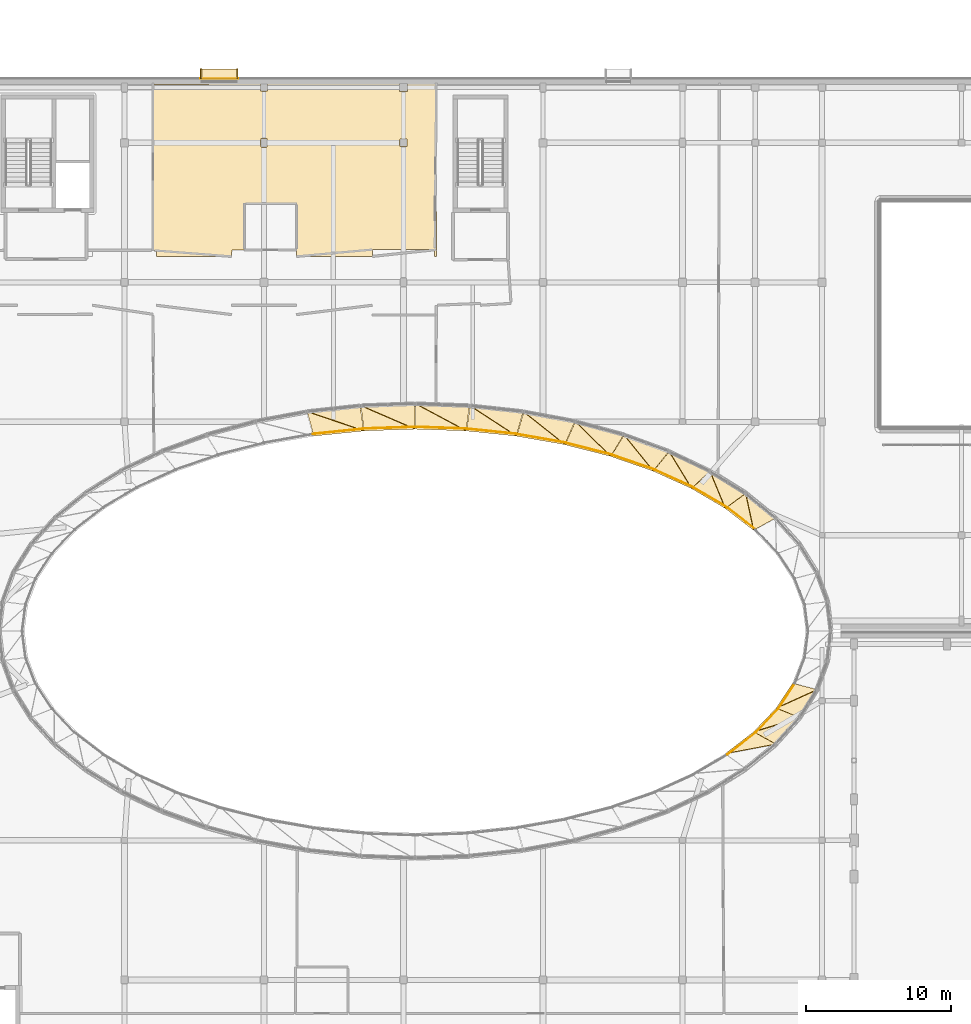
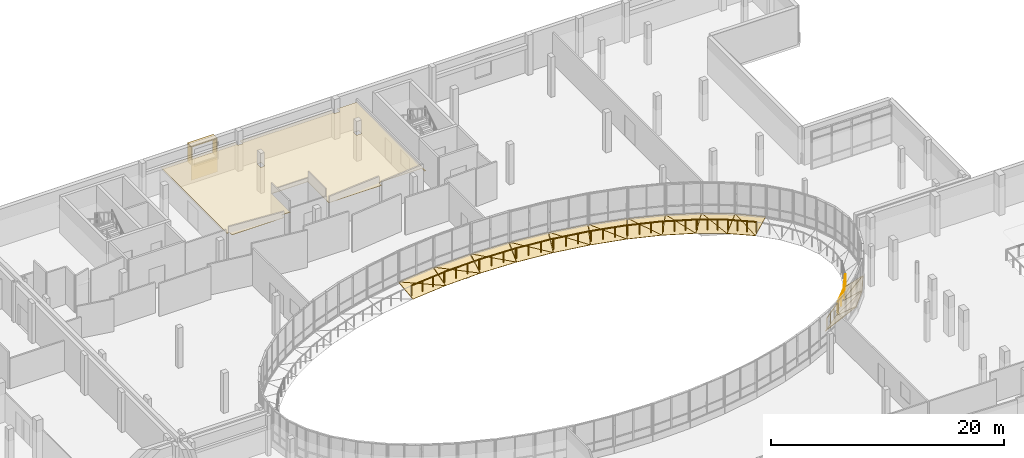
# One storey, part 78 of 84: 31 coverings, 13 railings.
"""IFC4 building model written with IfcOpenShell, lengths in metres."""

import ifcopenshell
import ifcopenshell.guid

model = None  # the IFC model being written
_history = None  # IfcOwnerHistory: only IFC2X3 demands one
_inside = {}  # id of a spatial element -> (the spatial element, [elements in it])
_under = {}  # id of a project, library or spatial element -> (it, [spatial elements below it])
_declared = {}  # id of a project -> (the project, [libraries it declares])
_typed = {}  # id of a type object -> (the type object, [elements of that type])
_made_of = {}  # id of a material, layer set ... -> (it, [elements and type objects made of it])


def new_model(schema):
    """Start an empty IFC model of exactly this schema.

    Asked for "IFC4X3", IfcOpenShell would pick the latest addendum, in which some entities
    have other attributes; the version numbers below select the first issue.
    IFC2X3 requires an IfcOwnerHistory on every rooted entity: one is made here for all.
    """
    global model, _history
    if schema == "IFC4X3":
        model = ifcopenshell.file(schema_version=(4, 3, 0, 0))
    else:
        model = ifcopenshell.file(schema=schema)
    _inside.clear()
    _under.clear()
    _declared.clear()
    _typed.clear()
    _made_of.clear()
    _history = None
    if model.schema == "IFC2X3":
        org = make("IfcOrganization", Name="unknown")
        user = make(
            "IfcPersonAndOrganization",
            ThePerson=make("IfcPerson", FamilyName="unknown"),
            TheOrganization=org,
        )
        app = make(
            "IfcApplication",
            ApplicationDeveloper=org,
            Version="unknown",
            ApplicationFullName="unknown",
            ApplicationIdentifier="unknown",
        )
        _history = make(
            "IfcOwnerHistory",
            OwningUser=user,
            OwningApplication=app,
            ChangeAction="ADDED",
            CreationDate=0,
        )
    return model


def make(cls, **values):
    """One entity of the class cls with the attributes given. An attribute that is None is left unset."""
    return model.create_entity(
        cls, **{name: value for name, value in values.items() if value is not None}
    )


def rooted(cls, **values):
    """An entity with a GlobalId (a new one), such as an element, a storey or a relation."""
    return make(cls, GlobalId=ifcopenshell.guid.new(), OwnerHistory=_history, **values)


def si_unit(unit_type, name, prefix=None):
    """IfcSIUnit, for example si_unit("LENGTHUNIT", "METRE", prefix="MILLI")."""
    return make("IfcSIUnit", UnitType=unit_type, Prefix=prefix, Name=name)


def assignment(units):
    """IfcUnitAssignment: the units of a project."""
    return None if units is None else make("IfcUnitAssignment", Units=units)


def point(xyz):
    """IfcCartesianPoint."""
    return None if xyz is None else make("IfcCartesianPoint", Coordinates=xyz)


def direction(xyz):
    """IfcDirection."""
    return None if xyz is None else make("IfcDirection", DirectionRatios=xyz)


def frame(location, z_axis=None, x_axis=None):
    """IfcAxis2Placement3D, a coordinate frame: its origin and axes. An axis left out is left unset."""
    return make(
        "IfcAxis2Placement3D",
        Location=point(location),
        Axis=direction(z_axis),
        RefDirection=direction(x_axis),
    )


def frame_2d(location, x_axis=None):
    """IfcAxis2Placement2D, a coordinate frame in the plane: its origin and x axis."""
    return make(
        "IfcAxis2Placement2D", Location=point(location), RefDirection=direction(x_axis)
    )


def origin():
    """The frame at (0, 0, 0) with its axes left unset."""
    return frame((0.0, 0.0, 0.0))


def origin_2d():
    """The frame at (0, 0) in the plane with its x axis left unset."""
    return frame_2d((0.0, 0.0))


def place(relative_to, where):
    """IfcLocalPlacement: puts the frame where relative to a parent placement (None: the world)."""
    return make(
        "IfcLocalPlacement", PlacementRelTo=relative_to, RelativePlacement=where
    )


def context(
    kind, dimensions, precision=None, world=None, true_north=None, identifier=None
):
    """IfcGeometricRepresentationContext, for example the 3D "Model" context."""
    return make(
        "IfcGeometricRepresentationContext",
        ContextIdentifier=identifier,
        ContextType=kind,
        CoordinateSpaceDimension=dimensions,
        Precision=precision,
        WorldCoordinateSystem=world,
        TrueNorth=true_north,
    )


def subcontext(parent, identifier, kind, view, scale=None):
    """IfcGeometricRepresentationSubContext, for example "Body" below "Model"."""
    return make(
        "IfcGeometricRepresentationSubContext",
        ContextIdentifier=identifier,
        ContextType=kind,
        ParentContext=parent,
        TargetScale=scale,
        TargetView=view,
    )


def project(units=None, contexts=None):
    """IfcProject with its units and contexts."""
    return rooted(
        "IfcProject",
        Name="project",
        RepresentationContexts=contexts,
        UnitsInContext=assignment(units),
    )


def spatial(cls, under=None, at=None, **own):
    """A site, building, storey or space (cls), placed at a placement, below another one or the project."""
    s = rooted(cls, ObjectPlacement=at, **own)
    if under is not None:
        _under.setdefault(under.id(), (under, []))[1].append(s)
    return s


def polyline(points):
    """IfcPolyline through the points."""
    return make("IfcPolyline", Points=[point(p) for p in points])


def profile(cls, at=None, kind="AREA", **sizes):
    """A parametric profile (cls). Its sizes go by their IFC names, for example OverallWidth=200.0."""
    return make(cls, ProfileType=kind, Position=at, **sizes)


def rectangle(**sizes):
    """IfcRectangleProfileDef."""
    return profile("IfcRectangleProfileDef", **sizes)


def circle(**sizes):
    """IfcCircleProfileDef."""
    return profile("IfcCircleProfileDef", **sizes)


def outline(outer, holes=None, kind="AREA"):
    """IfcArbitraryClosedProfileDef: a profile drawn as a closed curve; with holes, ...WithVoids."""
    if holes is None:
        return make("IfcArbitraryClosedProfileDef", ProfileType=kind, OuterCurve=outer)
    return make(
        "IfcArbitraryProfileDefWithVoids",
        ProfileType=kind,
        OuterCurve=outer,
        InnerCurves=holes,
    )


def extrude(swept, where, along, depth):
    """IfcExtrudedAreaSolid: the profile swept, set in the frame where, extruded along a direction by depth."""
    return make(
        "IfcExtrudedAreaSolid",
        SweptArea=swept,
        Position=where,
        ExtrudedDirection=direction(along),
        Depth=depth,
    )


def shape(context_of_items, identifier, shape_type, items):
    """IfcShapeRepresentation: the items that make up one representation, for example the "Body"."""
    return make(
        "IfcShapeRepresentation",
        ContextOfItems=context_of_items,
        RepresentationIdentifier=identifier,
        RepresentationType=shape_type,
        Items=items,
    )


def material(Name=None, Category=None):
    """IfcMaterial."""
    return make("IfcMaterial", Name=Name, Category=Category)


def layer(
    of_material, thickness, ventilated=None, Name=None, Category=None, Priority=None
):
    """IfcMaterialLayer: one layer of a wall or slab, of a material (None: an air gap)."""
    return make(
        "IfcMaterialLayer",
        Material=of_material,
        LayerThickness=thickness,
        IsVentilated=ventilated,
        Name=Name,
        Category=Category,
        Priority=Priority,
    )


def layer_set(layers, Name=None):
    """IfcMaterialLayerSet."""
    return make("IfcMaterialLayerSet", MaterialLayers=layers, LayerSetName=Name)


def made_of(thing, what):
    """Note that an element or type object is made of a material, layer set ...; save() writes the relation."""
    if what is not None:
        _made_of.setdefault(what.id(), (what, []))[1].append(thing)
    return thing


def type_object(cls, material=None, **own):
    """A type object (cls), such as IfcWallType, which elements share."""
    return made_of(rooted(cls, **own), material)


def element(
    cls,
    number,
    at=None,
    inside=None,
    cuts=None,
    type_object=None,
    material=None,
    context=None,
    identifier="Body",
    shape_type=None,
    held_by="IfcProductDefinitionShape",
    body=None,
    shapes=None,
    **own,
):
    """One element of the class cls, such as IfcWall. Its Tag is "e" and its number.

    at: its placement. inside: the storey or other place that contains it. cuts: it is an
    opening in that element (IfcRelVoidsElement). A single representation is given by context,
    identifier, shape_type and body (its items); several are given by shapes. held_by: the class
    of the entity that holds the representations. save() writes the other relations.
    """
    e = rooted(cls, Tag="e%d" % number, ObjectPlacement=at, **own)
    if body is not None:
        shapes = [shape(context, identifier, shape_type, body)]
    if shapes is not None:
        e.Representation = make(held_by, Representations=shapes)
    if inside is not None:
        _inside.setdefault(inside.id(), (inside, []))[1].append(e)
    if cuts is not None:
        rooted(
            "IfcRelVoidsElement", RelatingBuildingElement=cuts, RelatedOpeningElement=e
        )
    if type_object is not None:
        _typed.setdefault(type_object.id(), (type_object, []))[1].append(e)
    return made_of(e, material)


def aggregate(whole, parts):
    """IfcRelAggregates: a whole, such as a stair, and the parts it consists of."""
    return rooted("IfcRelAggregates", RelatingObject=whole, RelatedObjects=parts)


def save(model, path):
    """Write the relations noted so far, then the file.

    IfcRelAggregates (storeys below a building ...), IfcRelContainedInSpatialStructure (elements
    in a storey), IfcRelDefinesByType, IfcRelAssociatesMaterial and IfcRelDeclares: one each for
    every whole, place, type object, material and project.
    """
    for whole, parts in _under.values():
        aggregate(whole, parts)
    for where, things in _inside.values():
        rooted(
            "IfcRelContainedInSpatialStructure",
            RelatedElements=things,
            RelatingStructure=where,
        )
    for kind, things in _typed.values():
        rooted("IfcRelDefinesByType", RelatedObjects=things, RelatingType=kind)
    for what, things in _made_of.values():
        rooted("IfcRelAssociatesMaterial", RelatedObjects=things, RelatingMaterial=what)
    for by, libraries in _declared.values():
        rooted("IfcRelDeclares", RelatingContext=by, RelatedDefinitions=libraries)
    model.write(path)


model = new_model("IFC4")

# Units and contexts
model_context = context("Model", 3, precision=1e-05, world=origin(), true_north=direction((0.0, 1.0)))
body_context = subcontext(model_context, "Body", "Model", "MODEL_VIEW")
ifc_project = project(units=[si_unit("LENGTHUNIT", "METRE"), si_unit("AREAUNIT", "SQUARE_METRE"), si_unit("VOLUMEUNIT", "CUBIC_METRE"), si_unit("PLANEANGLEUNIT", "RADIAN"), si_unit("MASSUNIT", "GRAM", prefix="KILO")], contexts=[model_context])

# Site, building, storey
site_placement = place(None, origin())
site = spatial("IfcSite", under=ifc_project, at=site_placement, CompositionType="ELEMENT")
building_placement = place(site_placement, origin())
building = spatial("IfcBuilding", under=site, at=building_placement, Name="Mzevani Central Library", CompositionType="ELEMENT")
storey_placement = place(building_placement, frame((0.0, 0.0, 5.39990234375)))
storey = spatial("IfcBuildingStorey", under=building, at=storey_placement, Name="L01", CompositionType="ELEMENT", Elevation=5.39990234375)

# Coverings
ifc_material_1 = material(Name="Limestone ashlar cladding", Category="masonry")
ifc_layer_1 = layer(ifc_material_1, 0.050048828125, Name="Limestone Ashlar Spandrel Cladding")
ifc_layer_set_1 = layer_set([ifc_layer_1], Name="Limestone ashlar cladding")
covering_type_1 = type_object("IfcCoveringType", Name="Limestone Ashlar Spandrel Cladding", PredefinedType="CLADDING", material=ifc_layer_set_1)
covering_1_placement = place(storey_placement, frame((107.28515625, 82.93212890625, -0.27978515625), z_axis=(-0.3052267809, -0.39575804616, 0.866147897949), x_axis=(-0.791852195823, 0.610712780258, 0.0)))
element("IfcCovering", 1, at=covering_1_placement, inside=storey, type_object=covering_type_1, Name="L01 Curved Court Spandrel Apron 5A", PredefinedType="CLADDING", context=body_context, shape_type="SweptSolid", body=[
    extrude(outline(polyline([(0.0, 0.0), (2.459744276172497, 4.440892098500626e-16), (1.9724718090637485, -1.9207371363391414), (0.0, 0.0)])), origin(), (0.0, 0.0, -1.0), 0.06005859375),
])
covering_2_placement = place(storey_placement, frame((107.28515625, 82.93212890625, -0.27978515625), z_axis=(-0.322382114156, -0.396897176079, 0.859384898688), x_axis=(-0.198280860711, 0.916029199975, 0.348676361501)))
element("IfcCovering", 2, at=covering_2_placement, inside=storey, type_object=covering_type_1, Name="L01 Curved Court Spandrel Apron 5B", PredefinedType="CLADDING", context=body_context, shape_type="SweptSolid", body=[
    extrude(outline(polyline([(0.0, 0.0), (2.7531574935814156, 0.0), (0.8084493386458123, -1.8129900369364422), (0.0, 0.0)])), origin(), (0.0, 0.0, -1.0), 0.06005859375),
])
covering_3_placement = place(storey_placement, frame((105.334716796875, 84.44140625, -0.27978515625), z_axis=(-0.253328925068, -0.431032518622, 0.866045855376), x_axis=(-0.862126118655, 0.506693749255, 0.0)))
element("IfcCovering", 3, at=covering_3_placement, inside=storey, type_object=covering_type_1, Name="L01 Curved Court Spandrel Apron 6A", PredefinedType="CLADDING", context=body_context, shape_type="SweptSolid", body=[
    extrude(outline(polyline([(0.0, 0.0), (2.6809062466198696, -2.220446049250313e-16), (2.1981123723736458, -1.9200579106004312), (0.0, 0.0)])), origin(), (0.0, 0.0, -1.0), 0.06005859375),
])
covering_4_placement = place(storey_placement, frame((105.334716796875, 84.44140625, -0.27978515625), z_axis=(-0.269220909713, -0.435028730416, 0.859226457627), x_axis=(-0.360612759945, 0.872798315302, 0.328909620066)))
element("IfcCovering", 4, at=covering_4_placement, inside=storey, type_object=covering_type_1, Name="L01 Curved Court Spandrel Apron 6B", PredefinedType="CLADDING", context=body_context, shape_type="SweptSolid", body=[
    extrude(outline(polyline([(0.0, 0.0), (2.9186161757999955, 1.1102230246251565e-16), (0.7122605702740938, -1.851951037693111), (0.0, 0.0)])), origin(), (0.0, 0.0, -1.0), 0.06005859375),
])
covering_5_placement = place(storey_placement, frame((103.019287109375, 85.807373046875, -0.27978515625), z_axis=(-0.205044508599, -0.453669905786, 0.867260264325), x_axis=(-0.911249009609, 0.411855851587, 0.0)))
element("IfcCovering", 5, at=covering_5_placement, inside=storey, type_object=covering_type_1, Name="L01 Curved Court Spandrel Apron 7A", PredefinedType="CLADDING", context=body_context, shape_type="SweptSolid", body=[
    extrude(outline(polyline([(0.0, 0.0), (2.892182069976342, -1.1102230246251565e-16), (2.4466371642454092, -1.9281936985533665), (0.0, 0.0)])), origin(), (0.0, 0.0, -1.0), 0.06005859375),
])
covering_6_placement = place(storey_placement, frame((103.019287109375, 85.807373046875, -0.27978515625), z_axis=(-0.218726870619, -0.459547364532, 0.860798917182), x_axis=(-0.494610846538, 0.812647736928, 0.308161915479)))
element("IfcCovering", 6, at=covering_6_placement, inside=storey, type_object=covering_type_1, Name="L01 Curved Court Spandrel Apron 7B", PredefinedType="CLADDING", context=body_context, shape_type="SweptSolid", body=[
    extrude(outline(polyline([(0.0, 0.0), (3.115118673920422, 5.551115123125783e-17), (0.653396258887849, -1.872900741689121), (0.0, 0.0)])), origin(), (0.0, 0.0, -1.0), 0.06005859375),
])
covering_7_placement = place(storey_placement, frame((100.378173828125, 87.0068359375, -0.27978515625), z_axis=(-0.161025134653, -0.467528959782, 0.869187884048), x_axis=(-0.945492423857, 0.325644094723, 0.0)))
element("IfcCovering", 7, at=covering_7_placement, inside=storey, type_object=covering_type_1, Name="L01 Curved Court Spandrel Apron 8A", PredefinedType="CLADDING", context=body_context, shape_type="SweptSolid", body=[
    extrude(outline(polyline([(0.0, 0.0), (3.0828326576993037, 1.1102230246251565e-16), (2.700599610164129, -1.9413466794206844), (0.0, 0.0)])), origin(), (0.0, 0.0, -1.0), 0.06005859375),
])
covering_8_placement = place(storey_placement, frame((100.378173828125, 87.0068359375, -0.27978515625), z_axis=(-0.171913814934, -0.474140325425, 0.863502514206), x_axis=(-0.602503110247, 0.744100149681, 0.288626002619)))
element("IfcCovering", 8, at=covering_8_placement, inside=storey, type_object=covering_type_1, Name="L01 Curved Court Spandrel Apron 8B", PredefinedType="CLADDING", context=body_context, shape_type="SweptSolid", body=[
    extrude(outline(polyline([(0.0, 0.0), (3.3259683077438313, 1.6653345369377348e-16), (0.6317656138168688, -1.8801541986872259), (0.0, 0.0)])), origin(), (0.0, 0.0, -1.0), 0.06005859375),
])
covering_9_placement = place(storey_placement, frame((97.455322265625, 88.01953125, -0.27978515625), z_axis=(-0.12081862468, -0.475374961392, 0.87144793649), x_axis=(-0.969187718636, 0.246323295783, 0.0)))
element("IfcCovering", 9, at=covering_9_placement, inside=storey, type_object=covering_type_1, Name="L01 Curved Court Spandrel Apron 9A", PredefinedType="CLADDING", context=body_context, shape_type="SweptSolid", body=[
    extrude(outline(polyline([(0.0, 0.0), (3.2439979462134962, -1.1102230246251565e-16), (2.945948773556845, -1.9571547232339233), (0.0, 0.0)])), origin(), (0.0, 0.0, -1.0), 0.06005859375),
])
covering_10_placement = place(storey_placement, frame((97.455322265625, 88.01953125, -0.27978515625), z_axis=(-0.128971710387, -0.481816844141, 0.866728808003), x_axis=(-0.688488872613, 0.672543321222, 0.271419515452)))
element("IfcCovering", 10, at=covering_10_placement, inside=storey, type_object=covering_type_1, Name="L01 Curved Court Spandrel Apron 9B", PredefinedType="CLADDING", context=body_context, shape_type="SweptSolid", body=[
    extrude(outline(polyline([(0.0, 0.0), (3.5368161935698508, -2.7755575615628914e-16), (0.6431129716528202, -1.8768792619257473), (0.0, 0.0)])), origin(), (0.0, 0.0, -1.0), 0.06005859375),
])
covering_11_placement = place(storey_placement, frame((94.2998046875, 88.82763671875, -0.27978515625), z_axis=(-0.083921405289, -0.479611360363, 0.873458722977), x_axis=(-0.985034157545, 0.172359242483, 0.0)))
element("IfcCovering", 11, at=covering_11_placement, inside=storey, type_object=covering_type_1, Name="L01 Curved Court Spandrel Apron 10A", PredefinedType="CLADDING", context=body_context, shape_type="SweptSolid", body=[
    extrude(outline(polyline([(0.0, 0.0), (3.36976734469017, 5.551115123125783e-17), (3.1726702722399707, -1.971584477546406), (0.0, 0.0)])), origin(), (0.0, 0.0, -1.0), 0.06005859375),
])
covering_12_placement = place(storey_placement, frame((94.2998046875, 88.82763671875, -0.27978515625), z_axis=(-0.089319269675, -0.484928921157, 0.869980465005), x_axis=(-0.75718599576, 0.60052006293, 0.256992260279)))
element("IfcCovering", 12, at=covering_12_placement, inside=storey, type_object=covering_type_1, Name="L01 Curved Court Spandrel Apron 10B", PredefinedType="CLADDING", context=body_context, shape_type="SweptSolid", body=[
    extrude(outline(polyline([(0.0, 0.0), (3.7353690592038142, -1.1102230246251565e-16), (0.6826167984800011, -1.8643002218664777), (0.0, 0.0)])), origin(), (0.0, 0.0, -1.0), 0.06005859375),
])
covering_13_placement = place(storey_placement, frame((90.965087890625, 89.416259765625, -0.27978515625), z_axis=(-0.049396690078, -0.481754561196, 0.87491285839), x_axis=(-0.994784379501, 0.102000187744, 0.0)))
element("IfcCovering", 13, at=covering_13_placement, inside=storey, type_object=covering_type_1, Name="L01 Curved Court Spandrel Apron 11A", PredefinedType="CLADDING", context=body_context, shape_type="SweptSolid", body=[
    extrude(outline(polyline([(0.0, 0.0), (3.456258956938963, 0.0), (3.373447508986308, -1.9822420428912522), (0.0, 0.0)])), origin(), (0.0, 0.0, -1.0), 0.06005859375),
])
covering_14_placement = place(storey_placement, frame((90.965087890625, 89.416259765625, -0.27978515625), z_axis=(-0.052392257415, -0.485351986134, 0.87274767311), x_axis=(-0.812465367048, 0.528873085869, 0.245343201231)))
element("IfcCovering", 14, at=covering_14_placement, inside=storey, type_object=covering_type_1, Name="L01 Curved Court Spandrel Apron 11B", PredefinedType="CLADDING", context=body_context, shape_type="SweptSolid", body=[
    extrude(outline(polyline([(0.0, 0.0), (3.912726876807479, -4.996003610813204e-16), (0.7444535176367338, -1.841800170663272), (0.0, 0.0)])), origin(), (0.0, 0.0, -1.0), 0.06005859375),
])
covering_15_placement = place(storey_placement, frame((87.50830078125, 89.7734375, -0.27978515625), z_axis=(-0.016317300931, -0.483079762477, 0.875424290716), x_axis=(-0.999430022737, 0.033758401215, 0.0)))
element("IfcCovering", 15, at=covering_15_placement, inside=storey, type_object=covering_type_1, Name="L01 Curved Court Spandrel Apron 12A", PredefinedType="CLADDING", context=body_context, shape_type="SweptSolid", body=[
    extrude(outline(polyline([(0.0, 0.0), (3.500286099116628, 1.3877787807814457e-17), (3.541180313030712, -1.9860359636508111), (0.0, 0.0)])), origin(), (0.0, 0.0, -1.0), 0.06005859375),
])
covering_16_placement = place(storey_placement, frame((87.50830078125, 89.7734375, -0.27978515625), z_axis=(-0.017228233206, -0.484400490299, 0.874676713408), x_axis=(-0.857240192718, 0.457423270623, 0.236438582896)))
element("IfcCovering", 16, at=covering_16_placement, inside=storey, type_object=covering_type_1, Name="L01 Curved Court Spandrel Apron 12B", PredefinedType="CLADDING", context=body_context, shape_type="SweptSolid", body=[
    extrude(outline(polyline([(0.0, 0.0), (4.060085819081993, 3.3306690738754696e-16), (0.822174097361195, -1.8093034767523744), (0.0, 0.0)])), origin(), (0.0, 0.0, -1.0), 0.06005859375),
])
covering_17_placement = place(storey_placement, frame((83.989990234375, 89.8916015625, -0.27978515625), z_axis=(0.016365073644, -0.484494091406, 0.874641446398), x_axis=(-0.999430022737, -0.033758401215, 0.0)))
element("IfcCovering", 17, at=covering_17_placement, inside=storey, type_object=covering_type_1, Name="L01 Curved Court Spandrel Apron 13A", PredefinedType="CLADDING", context=body_context, shape_type="SweptSolid", body=[
    extrude(outline(polyline([(0.0, 0.0), (3.500286099116628, 0.0), (3.66823068156122, -1.9802383529735594), (0.0, 0.0)])), origin(), (0.0, 0.0, -1.0), 0.06005859375),
])
covering_18_placement = place(storey_placement, frame((83.989990234375, 89.8916015625, -0.27978515625), z_axis=(0.017180770215, -0.483065989221, 0.875415370663), x_axis=(-0.893490787859, 0.385543383356, 0.230283546006)))
element("IfcCovering", 18, at=covering_18_placement, inside=storey, type_object=covering_type_1, Name="L01 Curved Court Spandrel Apron 13B", PredefinedType="CLADDING", context=body_context, shape_type="SweptSolid", body=[
    extrude(outline(polyline([(0.0, 0.0), (4.168604115016743, 5.551115123125783e-17), (0.9074524536260773, -1.7670713709564958), (0.0, 0.0)])), origin(), (0.0, 0.0, -1.0), 0.06005859375),
])
covering_19_placement = place(storey_placement, frame((80.47314453125, 89.768798828125, -0.27978515625), z_axis=(0.049827518913, -0.485956335773, 0.872561549738), x_axis=(-0.994784379501, -0.102000187744, 0.0)))
element("IfcCovering", 19, at=covering_19_placement, inside=storey, type_object=covering_type_1, Name="L01 Curved Court Spandrel Apron 14A", PredefinedType="CLADDING", context=body_context, shape_type="SweptSolid", body=[
    extrude(outline(polyline([(0.0, 0.0), (3.456258956938963, 0.0), (3.7474804865600797, -1.965102778294841), (0.0, 0.0)])), origin(), (0.0, 0.0, -1.0), 0.06005859375),
])
covering_20_placement = place(storey_placement, frame((80.47314453125, 89.768798828125, -0.27978515625), z_axis=(0.051965042926, -0.481394351721, 0.874962349158), x_axis=(-0.922337359872, 0.312773103207, 0.226862911236)))
element("IfcCovering", 20, at=covering_20_placement, inside=storey, type_object=covering_type_1, Name="L01 Curved Court Spandrel Apron 14B", PredefinedType="CLADDING", context=body_context, shape_type="SweptSolid", body=[
    extrude(outline(polyline([(0.0, 0.0), (4.231458250581078, 1.1102230246251565e-16), (0.9938885998328104, -1.7170692192337724), (0.0, 0.0)])), origin(), (0.0, 0.0, -1.0), 0.06005859375),
])
covering_21_placement = place(storey_placement, frame((105.33740234375, 67.565673828125, -0.27978515625), z_axis=(-0.314687642206, 0.408025029988, 0.857022323365), x_axis=(0.791852195823, 0.610712780258, 0.0)))
element("IfcCovering", 21, at=covering_21_placement, inside=storey, type_object=covering_type_1, Name="L01 Curved Court Spandrel Apron 44A", PredefinedType="CLADDING", context=body_context, shape_type="SweptSolid", body=[
    extrude(outline(polyline([(0.0, 0.0), (2.459744276172497, -2.220446049250313e-16), (3.145153463334915, -1.8629915333519382), (0.0, 0.0)])), origin(), (0.0, 0.0, -1.0), 0.06005859375),
])
covering_22_placement = place(storey_placement, frame((107.287109375, 69.07421875, -0.27978515625), z_axis=(-0.369479169104, 0.353501992438, 0.859372727599), x_axis=(0.691311626592, 0.722556734754, 0.0)))
element("IfcCovering", 22, at=covering_22_placement, inside=storey, type_object=covering_type_1, Name="L01 Curved Court Spandrel Apron 45A", PredefinedType="CLADDING", context=body_context, shape_type="SweptSolid", body=[
    extrude(outline(polyline([(0.0, 0.0), (2.2425385442927626, 0.0), (2.8910269166156484, -1.8773081096106277), (0.0, 0.0)])), origin(), (0.0, 0.0, -1.0), 0.06005859375),
])
covering_23_placement = place(storey_placement, frame((107.287109375, 69.07421875, -0.27978515625), z_axis=(-0.366013014821, 0.332604319436, 0.869142588805), x_axis=(0.917968750677, 0.282451923285, 0.278485697682)))
element("IfcCovering", 23, at=covering_23_placement, inside=storey, type_object=covering_type_1, Name="L01 Curved Court Spandrel Apron 45B", PredefinedType="CLADDING", context=body_context, shape_type="SweptSolid", body=[
    extrude(outline(polyline([(0.0, 0.0), (3.4470744655440813, -1.1102230246251565e-16), (1.4280879821691332, -1.375720240972055), (0.0, 0.0)])), origin(), (0.0, 0.0, -1.0), 0.06005859375),
])
covering_24_placement = place(storey_placement, frame((108.8388671875, 70.700439453125, -0.27978515625), z_axis=(-0.420578351133, 0.276964767477, 0.863946970673), x_axis=(0.54998854207, 0.835172199963, 0.0)))
element("IfcCovering", 24, at=covering_24_placement, inside=storey, type_object=covering_type_1, Name="L01 Curved Court Spandrel Apron 46A", PredefinedType="CLADDING", context=body_context, shape_type="SweptSolid", body=[
    extrude(outline(polyline([(0.0, 0.0), (2.048604467528467, 0.0), (2.608427929110987, -1.9062623786753587), (0.0, 0.0)])), origin(), (0.0, 0.0, -1.0), 0.06005859375),
])
covering_25_placement = place(storey_placement, frame((108.8388671875, 70.700439453125, -0.27978515625), z_axis=(-0.415490266475, 0.259900613036, 0.871676264337), x_axis=(0.869785761732, 0.393935115196, 0.297132720689)))
element("IfcCovering", 25, at=covering_25_placement, inside=storey, type_object=covering_type_1, Name="L01 Curved Court Spandrel Apron 46B", PredefinedType="CLADDING", context=body_context, shape_type="SweptSolid", body=[
    extrude(outline(polyline([(0.0, 0.0), (3.230747981152239, 1.6653345369377348e-16), (1.4401471934693482, -1.3651516255114415), (0.0, 0.0)])), origin(), (0.0, 0.0, -1.0), 0.06005859375),
])
for number, where, z_axis, x_axis, name in (
    (26, (70.518798828125, 114.337890625, 3.4501953125), (0.0, 0.0, 1.0), (1.0, 0.0, 0.0), "L01 Deep Window Reveal HD (REV4-0124)"),
    (27, (70.518798828125, 114.337890625, 1.56005859375), (0.0, 0.0, 1.0), (1.0, 0.0, 0.0), "L01 Deep Window Reveal SL (REV4-0124)"),
):
    element("IfcCovering", number, at=place(storey_placement, frame(where, z_axis=z_axis, x_axis=x_axis)), inside=storey, type_object=covering_type_1, Name=name, PredefinedType="CLADDING", context=body_context, shape_type="SweptSolid", body=[
        extrude(rectangle(XDim=2.580078125, YDim=0.679931640625, at=origin_2d()), origin(), (0.0, 0.0, 1.0), 0.090087890625),
    ])
for number, where, z_axis, x_axis, name in (
    (28, (69.273681640625, 114.337890625, 1.64990234375), (0.0, 0.0, 1.0), (1.0, 0.0, 0.0), "L01 Deep Window Reveal JL (REV4-0124)"),
    (29, (71.763916015625, 114.337890625, 1.64990234375), (0.0, 0.0, 1.0), (1.0, 0.0, 0.0), "L01 Deep Window Reveal JR (REV4-0124)"),
):
    element("IfcCovering", number, at=place(storey_placement, frame(where, z_axis=z_axis, x_axis=x_axis)), inside=storey, type_object=covering_type_1, Name=name, PredefinedType="CLADDING", context=body_context, shape_type="SweptSolid", body=[
        extrude(rectangle(XDim=0.090087890625, YDim=0.679931640625, at=origin_2d()), origin(), (0.0, 0.0, 1.0), 1.800048828125),
    ])
covering_26_placement = place(storey_placement, frame((70.518798828125, 114.02392578125, 0.0), z_axis=(0.0, 0.0, 1.0), x_axis=(1.0, 0.0, 0.0)))
element("IfcCovering", 30, at=covering_26_placement, inside=storey, type_object=covering_type_1, Name="L01 Warm-White Sill Cladding 2 (EW4-V3-L01-0045)", PredefinedType="CLADDING", context=body_context, shape_type="SweptSolid", body=[
    extrude(rectangle(XDim=2.60009765625, YDim=0.050048828125, at=origin_2d()), origin(), (0.0, 0.0, 1.0), 1.550048828125),
])
ifc_material_2 = material(Name="Mineral wool acoustic ceiling")
ifc_layer_2 = layer(ifc_material_2, 0.0400390625, Name="Perforated Timber Acoustic Ceiling")
ifc_layer_set_2 = layer_set([ifc_layer_2], Name="Mineral wool acoustic ceiling")
covering_type_2 = type_object("IfcCoveringType", Name="Perforated Timber Acoustic Ceiling", PredefinedType="CEILING", material=ifc_layer_set_2)
covering_27_placement = place(storey_placement, frame((0.0, 0.0, 2.72998046875)))
element("IfcCovering", 31, at=covering_27_placement, inside=storey, type_object=covering_type_2, Name="L01 Language Learning Seminar Room Acoustic Ceiling", PredefinedType="CEILING", context=body_context, shape_type="SweptSolid", body=[
    extrude(outline(polyline([(85.340087890625, 101.780029296875), (85.340087890625, 102.239990234375), (81.06005859375, 102.239990234375), (81.051025390625, 101.77001953125), (75.822021484375, 101.7705078125), (75.83984375, 105.4150390625), (72.260009765625, 105.4150390625), (72.255615234375, 102.216796875), (71.385009765625, 102.215087890625), (71.3759765625, 101.77001953125), (66.1943359375, 101.771728515625), (66.18994140625, 102.18994140625), (65.955078125, 102.199951171875), (65.956787109375, 113.62548828125), (73.35009765625, 113.6298828125), (73.35009765625, 113.14990234375), (73.85009765625, 113.14990234375), (73.85009765625, 113.6298828125), (82.925048828125, 113.6298828125), (82.925048828125, 113.125), (83.47509765625, 113.125), (83.47509765625, 113.6298828125), (85.45556640625, 113.62841796875), (85.4599609375, 101.780029296875), (85.340087890625, 101.780029296875)]), holes=[polyline([(73.800048828125, 109.300048828125), (73.800048828125, 109.89990234375), (73.39990234375, 109.89990234375), (73.39990234375, 109.300048828125), (73.800048828125, 109.300048828125)]), polyline([(82.949951171875, 109.85009765625), (82.949951171875, 109.35009765625), (83.449951171875, 109.35009765625), (83.449951171875, 109.85009765625), (82.949951171875, 109.85009765625)])]), origin(), (0.0, 0.0, 1.0), 0.0400390625),
])

# Railings
ifc_material_3 = material(Name="Anodized architectural bronze")
railing_type = type_object("IfcRailingType", Name="Terrace and Court Balustrade 1100", PredefinedType="BALUSTRADE", material=ifc_material_3)
railing_1_placement = place(storey_placement, frame((107.436279296875, 82.984375, 0.0)))
element("IfcRailing", 32, at=railing_1_placement, inside=storey, type_object=railing_type, Name="L01 Elliptical Court Terrace Guard 5", PredefinedType="BALUSTRADE", context=body_context, shape_type="SweptSolid", body=[
    extrude(circle(Radius=0.02392578125, at=origin_2d()), frame((0.0, 0.0, 1.076171875), z_axis=(-0.791815172507, 0.610760781802, 0.0), x_axis=(-0.610760781802, -0.791815172507, 0.0)), (0.0, 0.0, 1.0), 2.45947265625),
    extrude(circle(Radius=0.02099609375, at=origin_2d()), origin(), (0.0, 0.0, 1.0), 1.052001953125),
    extrude(circle(Radius=0.02099609375, at=origin_2d()), frame((-0.649169921875, 0.500732421875, 0.0)), (0.0, 0.0, 1.0), 1.052001953125),
    extrude(circle(Radius=0.02099609375, at=origin_2d()), frame((-1.29833984375, 1.00146484375, 0.0)), (0.0, 0.0, 1.0), 1.052001953125),
    extrude(circle(Radius=0.02099609375, at=origin_2d()), frame((-1.947509765625, 1.502197265625, 0.0)), (0.0, 0.0, 1.0), 1.052001953125),
])
railing_2_placement = place(storey_placement, frame((105.480712890625, 84.507080078125, 0.0)))
element("IfcRailing", 33, at=railing_2_placement, inside=storey, type_object=railing_type, Name="L01 Elliptical Court Terrace Guard 6", PredefinedType="BALUSTRADE", context=body_context, shape_type="SweptSolid", body=[
    extrude(circle(Radius=0.02392578125, at=origin_2d()), frame((0.0, 0.0, 1.076171875), z_axis=(-0.862149496171, 0.506653970923, 0.0), x_axis=(-0.506653970923, -0.862149496171, 0.0)), (0.0, 0.0, 1.0), 2.68115234375),
    extrude(circle(Radius=0.02099609375, at=origin_2d()), origin(), (0.0, 0.0, 1.0), 1.052001953125),
    extrude(circle(Radius=0.02099609375, at=origin_2d()), frame((-0.7705078125, 0.452880859375, 0.0)), (0.0, 0.0, 1.0), 1.052001953125),
    extrude(circle(Radius=0.02099609375, at=origin_2d()), frame((-1.541015625, 0.905517578125, 0.0)), (0.0, 0.0, 1.0), 1.052001953125),
    extrude(circle(Radius=0.02099609375, at=origin_2d()), frame((-2.3115234375, 1.3583984375, 0.0)), (0.0, 0.0, 1.0), 1.052001953125),
])
railing_3_placement = place(storey_placement, frame((103.157470703125, 85.888427734375, 0.0)))
element("IfcRailing", 34, at=railing_3_placement, inside=storey, type_object=railing_type, Name="L01 Elliptical Court Terrace Guard 7", PredefinedType="BALUSTRADE", context=body_context, shape_type="SweptSolid", body=[
    extrude(circle(Radius=0.02392578125, at=origin_2d()), frame((0.0, 0.0, 1.076171875), z_axis=(-0.9112633267, 0.411824172932, 0.0), x_axis=(-0.411824172932, -0.9112633267, 0.0)), (0.0, 0.0, 1.0), 2.892333984375),
    extrude(circle(Radius=0.02099609375, at=origin_2d()), origin(), (0.0, 0.0, 1.0), 1.052001953125),
    extrude(circle(Radius=0.02099609375, at=origin_2d()), frame((-0.878662109375, 0.39697265625, 0.0)), (0.0, 0.0, 1.0), 1.052001953125),
    extrude(circle(Radius=0.02099609375, at=origin_2d()), frame((-1.757080078125, 0.794189453125, 0.0)), (0.0, 0.0, 1.0), 1.052001953125),
    extrude(circle(Radius=0.02099609375, at=origin_2d()), frame((-2.6357421875, 1.191162109375, 0.0)), (0.0, 0.0, 1.0), 1.052001953125),
])
railing_4_placement = place(storey_placement, frame((100.5048828125, 87.1044921875, 0.0)))
element("IfcRailing", 35, at=railing_4_placement, inside=storey, type_object=railing_type, Name="L01 Elliptical Court Terrace Guard 8", PredefinedType="BALUSTRADE", context=body_context, shape_type="SweptSolid", body=[
    extrude(circle(Radius=0.02392578125, at=origin_2d()), frame((0.0, 0.0, 1.076171875), z_axis=(-0.945492423857, 0.325644094723, 0.0), x_axis=(-0.325644094723, -0.945492423857, 0.0)), (0.0, 0.0, 1.0), 3.082763671875),
    extrude(circle(Radius=0.02099609375, at=origin_2d()), origin(), (0.0, 0.0, 1.0), 1.052001953125),
    extrude(circle(Radius=0.02099609375, at=origin_2d()), frame((-0.9716796875, 0.334716796875, 0.0)), (0.0, 0.0, 1.0), 1.052001953125),
    extrude(circle(Radius=0.02099609375, at=origin_2d()), frame((-1.943115234375, 0.669189453125, 0.0)), (0.0, 0.0, 1.0), 1.052001953125),
    extrude(circle(Radius=0.02099609375, at=origin_2d()), frame((-2.914794921875, 1.00390625, 0.0)), (0.0, 0.0, 1.0), 1.052001953125),
])
railing_5_placement = place(storey_placement, frame((97.56591796875, 88.13525390625, 0.0)))
element("IfcRailing", 36, at=railing_5_placement, inside=storey, type_object=railing_type, Name="L01 Elliptical Court Terrace Guard 9", PredefinedType="BALUSTRADE", context=body_context, shape_type="SweptSolid", body=[
    extrude(circle(Radius=0.02392578125, at=origin_2d()), frame((0.0, 0.0, 1.076171875), z_axis=(-0.969187718636, 0.246323295783, 0.0), x_axis=(-0.246323295783, -0.969187718636, 0.0)), (0.0, 0.0, 1.0), 3.243896484375),
    extrude(circle(Radius=0.02099609375, at=origin_2d()), origin(), (0.0, 0.0, 1.0), 1.052001953125),
    extrude(circle(Radius=0.02099609375, at=origin_2d()), frame((-1.048095703125, 0.266357421875, 0.0)), (0.0, 0.0, 1.0), 1.052001953125),
    extrude(circle(Radius=0.02099609375, at=origin_2d()), frame((-2.095947265625, 0.53271484375, 0.0)), (0.0, 0.0, 1.0), 1.052001953125),
    extrude(circle(Radius=0.02099609375, at=origin_2d()), frame((-3.14404296875, 0.799072265625, 0.0)), (0.0, 0.0, 1.0), 1.052001953125),
])
railing_6_placement = place(storey_placement, frame((94.387939453125, 88.961181640625, 0.0)))
element("IfcRailing", 37, at=railing_6_placement, inside=storey, type_object=railing_type, Name="L01 Elliptical Court Terrace Guard 10", PredefinedType="BALUSTRADE", context=body_context, shape_type="SweptSolid", body=[
    extrude(circle(Radius=0.02392578125, at=origin_2d()), frame((0.0, 0.0, 1.076171875), z_axis=(-0.985036309647, 0.172346942756, 0.0), x_axis=(-0.172346942756, -0.985036309647, 0.0)), (0.0, 0.0, 1.0), 3.3701171875),
    extrude(circle(Radius=0.02099609375, at=origin_2d()), origin(), (0.0, 0.0, 1.0), 1.052001953125),
    extrude(circle(Radius=0.02099609375, at=origin_2d()), frame((-1.1064453125, 0.193603515625, 0.0)), (0.0, 0.0, 1.0), 1.052001953125),
    extrude(circle(Radius=0.02099609375, at=origin_2d()), frame((-2.213134765625, 0.38720703125, 0.0)), (0.0, 0.0, 1.0), 1.052001953125),
    extrude(circle(Radius=0.02099609375, at=origin_2d()), frame((-3.319580078125, 0.580810546875, 0.0)), (0.0, 0.0, 1.0), 1.052001953125),
])
railing_7_placement = place(storey_placement, frame((91.022705078125, 89.565673828125, 0.0)))
element("IfcRailing", 38, at=railing_7_placement, inside=storey, type_object=railing_type, Name="L01 Elliptical Court Terrace Guard 11", PredefinedType="BALUSTRADE", context=body_context, shape_type="SweptSolid", body=[
    extrude(circle(Radius=0.02392578125, at=origin_2d()), frame((0.0, 0.0, 1.076171875), z_axis=(-0.994791544531, 0.101930284652, 0.0), x_axis=(-0.101930284652, -0.994791544531, 0.0)), (0.0, 0.0, 1.0), 3.456298828125),
    extrude(circle(Radius=0.02099609375, at=origin_2d()), origin(), (0.0, 0.0, 1.0), 1.052001953125),
    extrude(circle(Radius=0.02099609375, at=origin_2d()), frame((-1.14599609375, 0.117431640625, 0.0)), (0.0, 0.0, 1.0), 1.052001953125),
    extrude(circle(Radius=0.02099609375, at=origin_2d()), frame((-2.292236328125, 0.23486328125, 0.0)), (0.0, 0.0, 1.0), 1.052001953125),
    extrude(circle(Radius=0.02099609375, at=origin_2d()), frame((-3.438232421875, 0.352294921875, 0.0)), (0.0, 0.0, 1.0), 1.052001953125),
])
railing_8_placement = place(storey_placement, frame((87.5283203125, 89.93212890625, 0.0)))
element("IfcRailing", 39, at=railing_8_placement, inside=storey, type_object=railing_type, Name="L01 Elliptical Court Terrace Guard 12", PredefinedType="BALUSTRADE", context=body_context, shape_type="SweptSolid", body=[
    extrude(circle(Radius=0.02392578125, at=origin_2d()), frame((0.0, 0.0, 1.076171875), z_axis=(-0.999429943241, 0.033760754643, 0.0), x_axis=(-0.033760754643, -0.999429943241, 0.0)), (0.0, 0.0, 1.0), 3.5),
    extrude(circle(Radius=0.02099609375, at=origin_2d()), origin(), (0.0, 0.0, 1.0), 1.052001953125),
    extrude(circle(Radius=0.02099609375, at=origin_2d()), frame((-1.166015625, 0.039306640625, 0.0)), (0.0, 0.0, 1.0), 1.052001953125),
    extrude(circle(Radius=0.02099609375, at=origin_2d()), frame((-2.33203125, 0.078857421875, 0.0)), (0.0, 0.0, 1.0), 1.052001953125),
    extrude(circle(Radius=0.02099609375, at=origin_2d()), frame((-3.498046875, 0.1181640625, 0.0)), (0.0, 0.0, 1.0), 1.052001953125),
])
railing_9_placement = place(storey_placement, frame((83.9697265625, 90.05029296875, 0.0)))
element("IfcRailing", 40, at=railing_9_placement, inside=storey, type_object=railing_type, Name="L01 Elliptical Court Terrace Guard 13", PredefinedType="BALUSTRADE", context=body_context, shape_type="SweptSolid", body=[
    extrude(circle(Radius=0.02392578125, at=origin_2d()), frame((0.0, 0.0, 1.076171875), z_axis=(-0.999429943241, -0.033760754643, 0.0), x_axis=(0.033760754643, -0.999429943241, 0.0)), (0.0, 0.0, 1.0), 3.5),
    extrude(circle(Radius=0.02099609375, at=origin_2d()), origin(), (0.0, 0.0, 1.0), 1.052001953125),
    extrude(circle(Radius=0.02099609375, at=origin_2d()), frame((-1.166015625, -0.039306640625, 0.0)), (0.0, 0.0, 1.0), 1.052001953125),
    extrude(circle(Radius=0.02099609375, at=origin_2d()), frame((-2.33203125, -0.078857421875, 0.0)), (0.0, 0.0, 1.0), 1.052001953125),
    extrude(circle(Radius=0.02099609375, at=origin_2d()), frame((-3.498046875, -0.1181640625, 0.0)), (0.0, 0.0, 1.0), 1.052001953125),
])
railing_10_placement = place(storey_placement, frame((80.41552734375, 89.91796875, 0.0)))
element("IfcRailing", 41, at=railing_10_placement, inside=storey, type_object=railing_type, Name="L01 Elliptical Court Terrace Guard 14", PredefinedType="BALUSTRADE", context=body_context, shape_type="SweptSolid", body=[
    extrude(circle(Radius=0.02392578125, at=origin_2d()), frame((0.0, 0.0, 1.076171875), z_axis=(-0.994791544531, -0.101930284652, 0.0), x_axis=(0.101930284652, -0.994791544531, 0.0)), (0.0, 0.0, 1.0), 3.456298828125),
    extrude(circle(Radius=0.02099609375, at=origin_2d()), origin(), (0.0, 0.0, 1.0), 1.052001953125),
    extrude(circle(Radius=0.02099609375, at=origin_2d()), frame((-1.14599609375, -0.117431640625, 0.0)), (0.0, 0.0, 1.0), 1.052001953125),
    extrude(circle(Radius=0.02099609375, at=origin_2d()), frame((-2.292236328125, -0.23486328125, 0.0)), (0.0, 0.0, 1.0), 1.052001953125),
    extrude(circle(Radius=0.02099609375, at=origin_2d()), frame((-3.438232421875, -0.352294921875, 0.0)), (0.0, 0.0, 1.0), 1.052001953125),
])
railing_11_placement = place(storey_placement, frame((105.48876953125, 67.513427734375, 0.0)))
element("IfcRailing", 42, at=railing_11_placement, inside=storey, type_object=railing_type, Name="L01 Elliptical Court Terrace Guard 44", PredefinedType="BALUSTRADE", context=body_context, shape_type="SweptSolid", body=[
    extrude(circle(Radius=0.02392578125, at=origin_2d()), frame((0.0, 0.0, 1.076171875), z_axis=(0.791815172507, 0.610760781802, 0.0), x_axis=(-0.610760781802, 0.791815172507, 0.0)), (0.0, 0.0, 1.0), 2.45947265625),
    extrude(circle(Radius=0.02099609375, at=origin_2d()), origin(), (0.0, 0.0, 1.0), 1.052001953125),
    extrude(circle(Radius=0.02099609375, at=origin_2d()), frame((0.649169921875, 0.500732421875, 0.0)), (0.0, 0.0, 1.0), 1.052001953125),
    extrude(circle(Radius=0.02099609375, at=origin_2d()), frame((1.29833984375, 1.00146484375, 0.0)), (0.0, 0.0, 1.0), 1.052001953125),
    extrude(circle(Radius=0.02099609375, at=origin_2d()), frame((1.947509765625, 1.502197265625, 0.0)), (0.0, 0.0, 1.0), 1.052001953125),
])
railing_12_placement = place(storey_placement, frame((107.442138671875, 69.03466796875, 0.0)))
element("IfcRailing", 43, at=railing_12_placement, inside=storey, type_object=railing_type, Name="L01 Elliptical Court Terrace Guard 45", PredefinedType="BALUSTRADE", context=body_context, shape_type="SweptSolid", body=[
    extrude(circle(Radius=0.02392578125, at=origin_2d()), frame((0.0, 0.0, 1.076171875), z_axis=(0.691368458863, 0.722502355767, 0.0), x_axis=(-0.722502355767, 0.691368458863, 0.0)), (0.0, 0.0, 1.0), 2.24267578125),
    extrude(circle(Radius=0.02099609375, at=origin_2d()), origin(), (0.0, 0.0, 1.0), 1.052001953125),
    extrude(circle(Radius=0.02099609375, at=origin_2d()), frame((0.775390625, 0.81005859375, 0.0)), (0.0, 0.0, 1.0), 1.052001953125),
    extrude(circle(Radius=0.02099609375, at=origin_2d()), frame((1.550537109375, 1.620361328125, 0.0)), (0.0, 0.0, 1.0), 1.052001953125),
])
railing_13_placement = place(storey_placement, frame((108.996337890625, 70.6728515625, 0.0)))
element("IfcRailing", 44, at=railing_13_placement, inside=storey, type_object=railing_type, Name="L01 Elliptical Court Terrace Guard 46", PredefinedType="BALUSTRADE", context=body_context, shape_type="SweptSolid", body=[
    extrude(circle(Radius=0.02392578125, at=origin_2d()), frame((0.0, 0.0, 1.076171875), z_axis=(0.550071659346, 0.835117458556, 0.0), x_axis=(-0.835117458556, 0.550071659346, 0.0)), (0.0, 0.0, 1.0), 2.048828125),
    extrude(circle(Radius=0.02099609375, at=origin_2d()), origin(), (0.0, 0.0, 1.0), 1.052001953125),
    extrude(circle(Radius=0.02099609375, at=origin_2d()), frame((0.5634765625, 0.85546875, 0.0)), (0.0, 0.0, 1.0), 1.052001953125),
    extrude(circle(Radius=0.02099609375, at=origin_2d()), frame((1.126953125, 1.7109375, 0.0)), (0.0, 0.0, 1.0), 1.052001953125),
])

save(model, "model.ifc")
